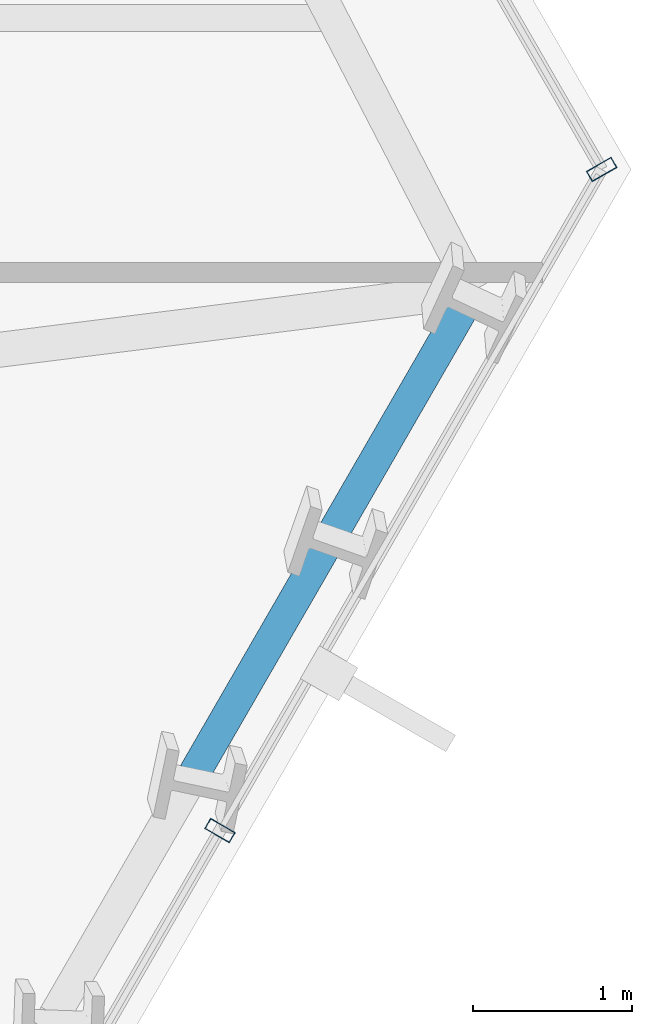
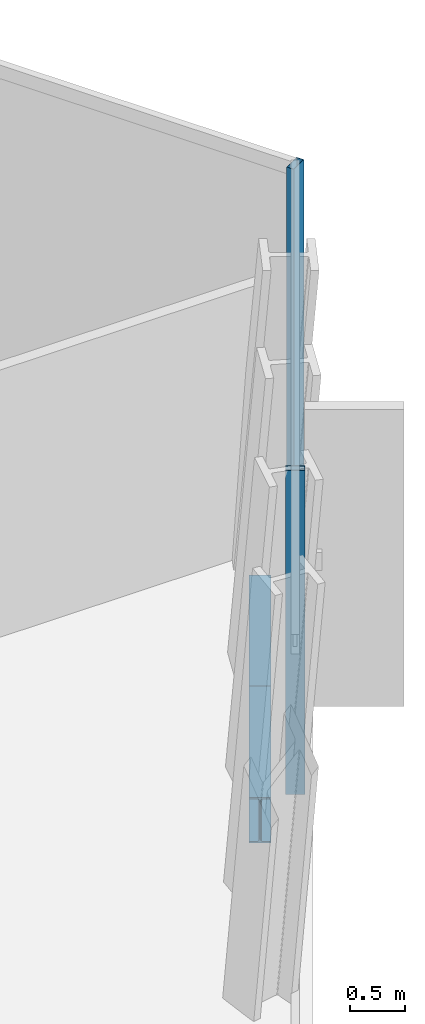
# One storey, part 18 of 33: 2 beams, 2 members, 2 elements without a shape of their own.
"""IFC4 building model written with IfcOpenShell, lengths in metres."""

from ifc_helpers import new_model, si_unit, direction, frame, origin, origin_2d, place, context, subcontext, project, spatial, hollow_rectangle, i_section, extrude, material, layer, layer_set, material_profile, profile_set, type_object, element, aggregate, save


model = new_model("IFC4")

# Units and contexts
model_context = context("Model", 3, precision=1e-05, world=origin(), true_north=direction((0.0, 1.0)))
body_context = subcontext(model_context, "Body", "Model", "MODEL_VIEW")
ifc_project = project(units=[si_unit("LENGTHUNIT", "METRE"), si_unit("AREAUNIT", "SQUARE_METRE"), si_unit("VOLUMEUNIT", "CUBIC_METRE"), si_unit("PLANEANGLEUNIT", "RADIAN"), si_unit("MASSUNIT", "GRAM", prefix="KILO")], contexts=[model_context])

# Site, building, storey
site_placement = place(None, origin())
site = spatial("IfcSite", under=ifc_project, at=site_placement, CompositionType="ELEMENT")
building_placement = place(site_placement, origin())
building = spatial("IfcBuilding", under=site, at=building_placement, Name="Ndaravel Arena Tower", CompositionType="ELEMENT")
storey_placement = place(building_placement, frame((0.0, 0.0, 89.199951171875)))
storey = spatial("IfcBuildingStorey", under=building, at=storey_placement, Name="L20", CompositionType="ELEMENT", Elevation=89.199951171875)

# Beams
ifc_material_1 = material(Name="Steel S355", Category="steel")
ifc_material_profile_1 = material_profile(ifc_material_1, i_section(OverallWidth=0.199951171875, OverallDepth=0.5, WebThickness=0.01025390625, FlangeThickness=0.01611328125, FilletRadius=0.02099609375, at=origin_2d()), Name="IPE 500")
ifc_profile_set_1 = profile_set([ifc_material_profile_1], Name="Steel S355")
beam_type = type_object("IfcBeamType", Name="BM-SPAN-IPE500", PredefinedType="SPANDREL", material=ifc_profile_set_1)
beam_1_placement = place(storey_placement, frame((62.9541015625, 13.845458984375, -0.469970703125), z_axis=(0.49990697594, 0.86607910459, 0.0), x_axis=(-0.86607910459, 0.49990697594, 0.0)))
element("IfcBeam", 1, at=beam_1_placement, inside=storey, type_object=beam_type, Name="L20 Perimeter Spandrel Beam SP-07", PredefinedType="SPANDREL", context=body_context, shape_type="SweptSolid", body=[
    extrude(i_section(OverallWidth=0.199951171875, OverallDepth=0.5, WebThickness=0.01025390625, FlangeThickness=0.01611328125, FilletRadius=0.02099609375, at=origin_2d()), origin(), (0.0, 0.0, 1.0), 1.756103515625),
])
beam_2_placement = place(storey_placement, frame((63.83203125, 15.366455078125, -0.469970703125), z_axis=(0.500011241135, 0.866018913615, 0.0), x_axis=(-0.866018913615, 0.500011241135, 0.0)))
element("IfcBeam", 2, at=beam_2_placement, inside=storey, type_object=beam_type, Name="L20 Perimeter Spandrel Beam SP-08", PredefinedType="SPANDREL", context=body_context, shape_type="SweptSolid", body=[
    extrude(i_section(OverallWidth=0.199951171875, OverallDepth=0.5, WebThickness=0.01025390625, FlangeThickness=0.01611328125, FilletRadius=0.02099609375, at=origin_2d()), origin(), (0.0, 0.0, 1.0), 1.75634765625),
])

# Curtain wall, member
ifc_material_2 = material(Name="Aluminium", Category="aluminium")
ifc_layer_1 = layer(ifc_material_2, 0.179931640625)
ifc_layer_set_1 = layer_set([ifc_layer_1], Name="Aluminium")
curtain_wall_type_1 = type_object("IfcCurtainWallType", Name="CW-SYS-01", PredefinedType="NOTDEFINED", material=ifc_layer_set_1)
curtain_wall_1_placement = place(storey_placement, origin())
curtain_wall_1 = element("IfcCurtainWall", 3, at=curtain_wall_1_placement, inside=storey, type_object=curtain_wall_type_1, Name="L20 Faceted Crystal Curtain Wall CW-L20-E02", PredefinedType="NOTDEFINED")
ifc_material_3 = material(Name="Aluminium", Category="aluminium")
ifc_material_profile_2 = material_profile(ifc_material_3, hollow_rectangle(XDim=0.074951171875, YDim=0.179931640625, WallThickness=0.00390625, at=origin_2d()), Name="CW MULLION 75x180x4")
ifc_profile_set_2 = profile_set([ifc_material_profile_2], Name="Aluminium")
member_type = type_object("IfcMemberType", Name="MEM-CW-MUL180", PredefinedType="MULLION", material=ifc_profile_set_2)
member_1_placement = place(storey_placement, frame((63.115478515625, 13.4853515625, 0.0), z_axis=(0.0, 0.0, 1.0), x_axis=(0.5, 0.866025403784, 0.0)))
member_1 = element("IfcMember", 4, at=member_1_placement, type_object=member_type, Name="CW-L20-E02 Mullion 02", PredefinedType="MULLION", context=body_context, shape_type="SweptSolid", body=[
    extrude(hollow_rectangle(XDim=0.074951171875, YDim=0.179931640625, WallThickness=0.00390625, at=origin_2d()), origin(), (0.0, 0.0, 1.0), 3.580078125),
])
aggregate(curtain_wall_1, [member_1])

ifc_material_4 = material(Name="Aluminium", Category="aluminium")
ifc_layer_2 = layer(ifc_material_4, 0.179931640625)
ifc_layer_set_2 = layer_set([ifc_layer_2], Name="Aluminium")
curtain_wall_type_2 = type_object("IfcCurtainWallType", Name="CW-SYS-03", PredefinedType="NOTDEFINED", material=ifc_layer_set_2)
curtain_wall_2_placement = place(storey_placement, origin())
curtain_wall_2 = element("IfcCurtainWall", 5, at=curtain_wall_2_placement, inside=storey, type_object=curtain_wall_type_2, Name="L20 Faceted Crystal Curtain Wall CW-L20-E03", PredefinedType="NOTDEFINED")
member_2_placement = place(storey_placement, frame((65.518798828125, 17.64794921875, 0.0), z_axis=(0.0, 0.0, 1.0), x_axis=(-0.5, 0.866025403784, 0.0)))
member_2 = element("IfcMember", 6, at=member_2_placement, type_object=member_type, Name="CW-L20-E03 Mullion 00", PredefinedType="MULLION", context=body_context, shape_type="SweptSolid", body=[
    extrude(hollow_rectangle(XDim=0.074951171875, YDim=0.179931640625, WallThickness=0.00390625, at=origin_2d()), origin(), (0.0, 0.0, 1.0), 3.580078125),
])
aggregate(curtain_wall_2, [member_2])

save(model, "model.ifc")
